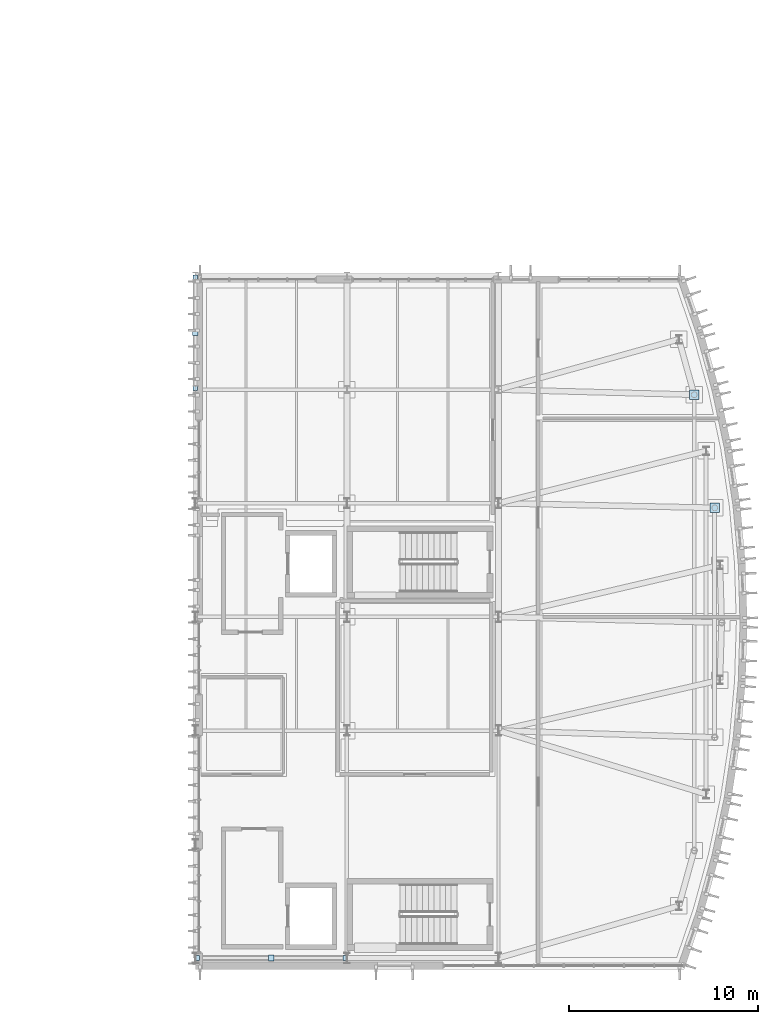
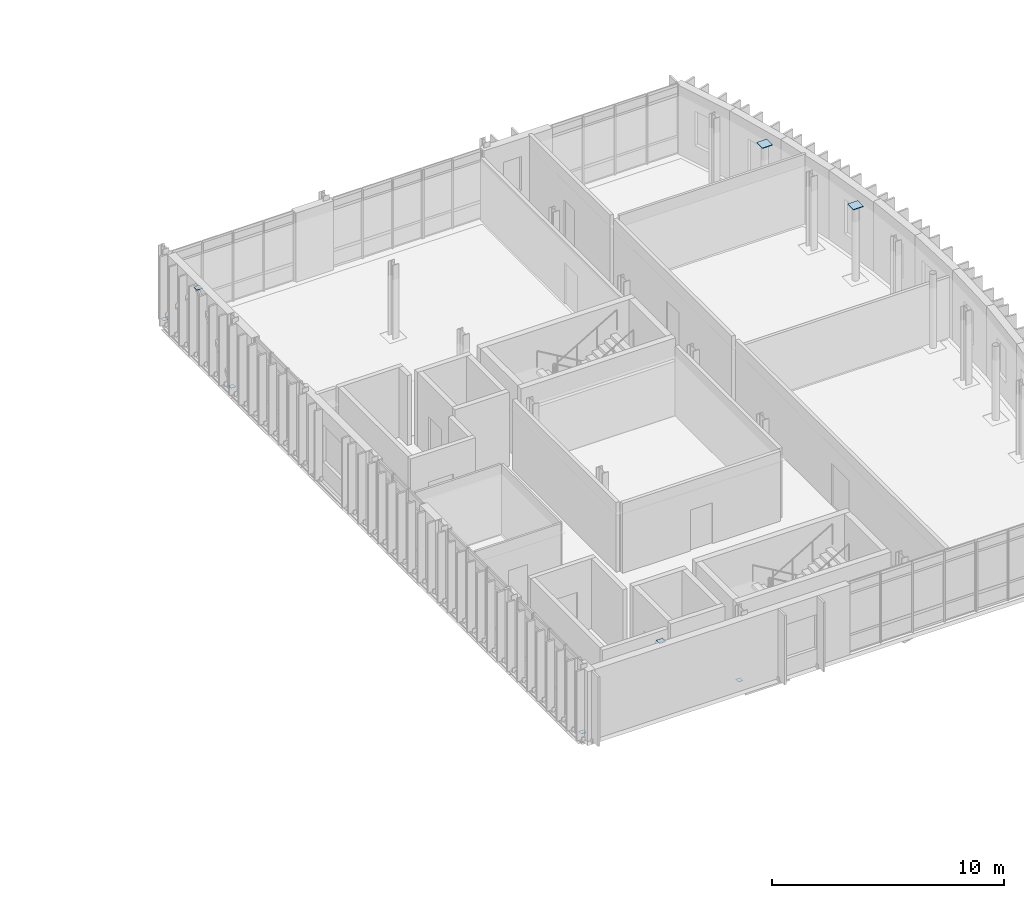
# One storey, part 23 of 43: 8 plates.
"""IFC4 building model written with IfcOpenShell, lengths in metres."""

from ifc_helpers import new_model, si_unit, direction, frame, origin, origin_2d, place, context, subcontext, project, spatial, rectangle, extrude, material, layer, layer_set, type_object, element, save


model = new_model("IFC4")

# Units and contexts
model_context = context("Model", 3, precision=1e-05, world=origin(), true_north=direction((0.0, 1.0)))
body_context = subcontext(model_context, "Body", "Model", "MODEL_VIEW")
ifc_project = project(units=[si_unit("LENGTHUNIT", "METRE"), si_unit("AREAUNIT", "SQUARE_METRE"), si_unit("VOLUMEUNIT", "CUBIC_METRE"), si_unit("PLANEANGLEUNIT", "RADIAN"), si_unit("MASSUNIT", "GRAM", prefix="KILO")], contexts=[model_context])

# Site, building, storey
site_placement = place(None, origin())
site = spatial("IfcSite", under=ifc_project, at=site_placement, CompositionType="ELEMENT")
building_placement = place(site_placement, origin())
building = spatial("IfcBuilding", under=site, at=building_placement, Name="Cymarion Research Institute", CompositionType="ELEMENT")
storey_placement = place(building_placement, frame((0.0, 0.0, 22.800048828125)))
storey = spatial("IfcBuildingStorey", under=building, at=storey_placement, Name="L05", CompositionType="ELEMENT", Elevation=22.800048828125)

# Plates
ifc_material = material(Name="Steel S355", Category="steel")
ifc_layer_1 = layer(ifc_material, 0.01806640625)
ifc_layer_set_1 = layer_set([ifc_layer_1], Name="Steel S355")
plate_type_1 = type_object("IfcPlateType", Name="STEEL NODE GUSSET PLATE CP01 18MM", PredefinedType="USERDEFINED", material=ifc_layer_set_1)
for number, where, z_axis, x_axis, name in (
    (1, (142.60009765625, 5.5, 3.531005859375), (0.0, 0.0, 1.0), (1.0, 0.0, 0.0), "L05 V1 chevron apex gusset plate"),
    (2, (138.60009765625, 38.5, 3.531005859375), (0.0, 0.0, 1.0), (1.0, 0.0, 0.0), "L05 V1 chevron apex gusset plate"),
):
    element("IfcPlate", number, at=place(storey_placement, frame(where, z_axis=z_axis, x_axis=x_axis)), inside=storey, type_object=plate_type_1, Name=name, ObjectType="GUSSET PLATE", PredefinedType="USERDEFINED", context=body_context, shape_type="SweptSolid", body=[
        extrude(rectangle(XDim=0.300048828125, YDim=0.300048828125, at=origin_2d()), origin(), (0.0, 0.0, 1.0), 0.01806640625),
    ])
ifc_layer_2 = layer(ifc_material, 0.011962890625)
ifc_layer_set_2 = layer_set([ifc_layer_2], Name="Steel S355")
plate_type_2 = type_object("IfcPlateType", Name="STEEL NODE GUSSET PLATE CP02 12MM", PredefinedType="USERDEFINED", material=ifc_layer_set_2)
for number, where, z_axis, x_axis, name in (
    (3, (138.691162109375, 5.5, 0.11376953125), (0.0, 0.0, 1.0), (1.0, 0.0, 0.0), "L05 V1 chevron base gusset plate #1"),
    (4, (146.5087890625, 5.5, 0.11376953125), (0.0, 0.0, 1.0), (1.0, 0.0, 0.0), "L05 V1 chevron base gusset plate #2"),
    (5, (138.60009765625, 35.5791015625, 0.11376953125), (0.0, 0.0, 1.0), (1.0, 0.0, 0.0), "L05 V1 chevron base gusset plate #1"),
    (6, (138.60009765625, 41.4208984375, 0.11376953125), (0.0, 0.0, 1.0), (1.0, 0.0, 0.0), "L05 V1 chevron base gusset plate #2"),
):
    element("IfcPlate", number, at=place(storey_placement, frame(where, z_axis=z_axis, x_axis=x_axis)), inside=storey, type_object=plate_type_2, Name=name, ObjectType="GUSSET PLATE", PredefinedType="USERDEFINED", context=body_context, shape_type="SweptSolid", body=[
        extrude(rectangle(XDim=0.239990234375, YDim=0.239990234375, at=origin_2d()), origin(), (0.0, 0.0, 1.0), 0.011962890625),
    ])
ifc_layer_3 = layer(ifc_material, 0.030029296875)
ifc_layer_set_3 = layer_set([ifc_layer_3], Name="Steel S355")
plate_type_3 = type_object("IfcPlateType", Name="STEEL NODE GUSSET PLATE NP02 30MM", PredefinedType="USERDEFINED", material=ifc_layer_set_3)
for number, where, z_axis, x_axis, name in (
    (7, (164.927734375, 35.227294921875, 3.8701171875), (0.0, 0.0, 1.0), (1.0, 0.0, 0.0), "L05 V1 hollow column end cap plate NP02 #1170"),
    (8, (166.012939453125, 29.257080078125, 3.8701171875), (0.0, 0.0, 1.0), (1.0, 0.0, 0.0), "L05 V1 hollow column end cap plate NP02 #1174"),
):
    element("IfcPlate", number, at=place(storey_placement, frame(where, z_axis=z_axis, x_axis=x_axis)), inside=storey, type_object=plate_type_3, Name=name, ObjectType="GUSSET PLATE", PredefinedType="USERDEFINED", context=body_context, shape_type="SweptSolid", body=[
        extrude(rectangle(XDim=0.5, YDim=0.5, at=origin_2d()), origin(), (0.0, 0.0, 1.0), 0.030029296875),
    ])

save(model, "model.ifc")
